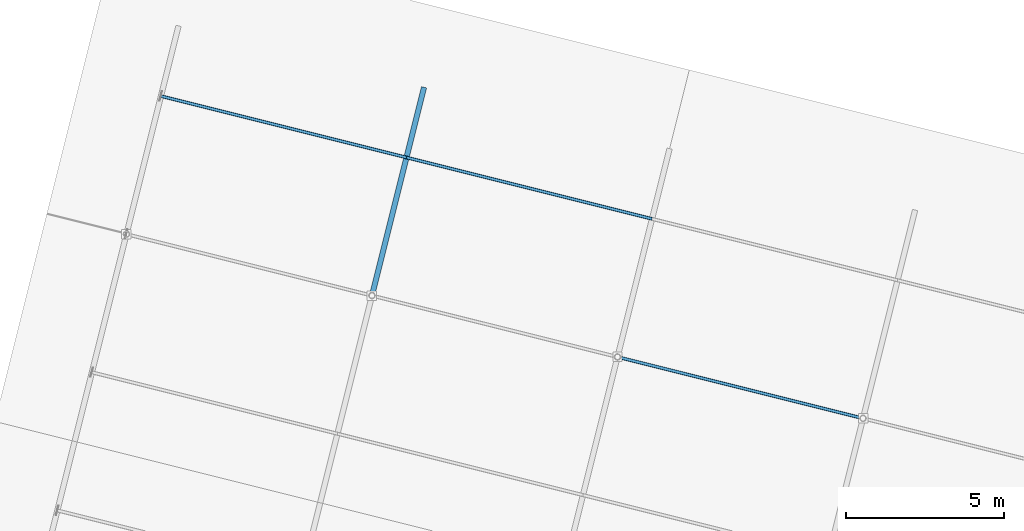
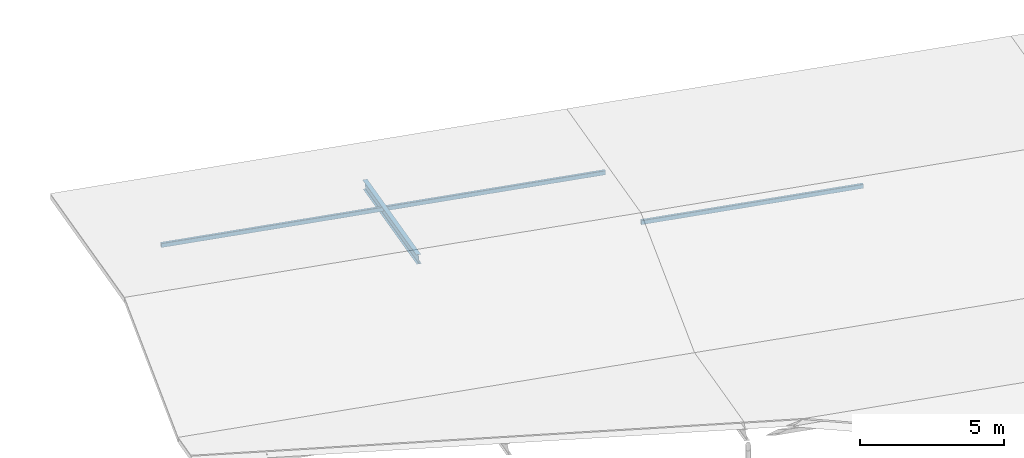
# One storey, part 59 of 107: 4 members.
"""IFC4 building model written with IfcOpenShell, lengths in metres."""

from ifc_helpers import new_model, si_unit, derived_unit, direction, frame, origin, origin_2d, place, context, subcontext, project, spatial, hollow_rectangle, i_section, extrude, material, material_profile, profile_set, type_object, element, save


model = new_model("IFC4")

# Units and contexts
model_context = context("Model", 3, precision=1e-05, world=origin(), true_north=direction((0.0, 1.0)))
body_context = subcontext(model_context, "Body", "Model", "MODEL_VIEW")
ifc_project = project(units=[si_unit("LENGTHUNIT", "METRE"), si_unit("AREAUNIT", "SQUARE_METRE"), si_unit("VOLUMEUNIT", "CUBIC_METRE"), si_unit("PLANEANGLEUNIT", "RADIAN"), si_unit("MASSUNIT", "GRAM", prefix="KILO"), si_unit("THERMODYNAMICTEMPERATUREUNIT", "KELVIN"), si_unit("TIMEUNIT", "SECOND"), derived_unit("THERMALTRANSMITTANCEUNIT", [(si_unit("MASSUNIT", "GRAM", prefix="KILO"), 1), (si_unit("THERMODYNAMICTEMPERATUREUNIT", "KELVIN"), -1), (si_unit("TIMEUNIT", "SECOND"), -3)])], contexts=[model_context])

# Site, building, storey
site_placement = place(None, origin())
site = spatial("IfcSite", under=ifc_project, at=site_placement, CompositionType="ELEMENT")
building_placement = place(site_placement, origin())
building = spatial("IfcBuilding", under=site, at=building_placement, Name="Cambertide Market Hall", CompositionType="ELEMENT")
storey_placement = place(building_placement, frame((0.0, 0.0, 18.300048828125)))
storey = spatial("IfcBuildingStorey", under=building, at=storey_placement, Name="RF", CompositionType="ELEMENT", Elevation=18.300048828125)

# Members
ifc_material_1 = material(Name="Steel S355", Category="steel")
ifc_material_profile_1 = material_profile(ifc_material_1, i_section(OverallWidth=0.169921875, OverallDepth=0.360107421875, WebThickness=0.008056640625, FlangeThickness=0.0126953125, FilletRadius=0.01806640625, at=origin_2d()), Name="IPE 360")
ifc_profile_set_1 = profile_set([ifc_material_profile_1], Name="Steel S355")
member_type_1 = type_object("IfcMemberType", Name="Radial Fan Rafter IPE 360", PredefinedType="RAFTER", material=ifc_profile_set_1)
member_1_placement = place(storey_placement, frame((120.672607421875, 117.705078125, 1.003173828125), z_axis=(0.237641829002, 0.950673643448, -0.199363950505), x_axis=(-0.970148882494, 0.242510094215, 0.0)))
element("IfcMember", 1, at=member_1_placement, inside=storey, type_object=member_type_1, Name="RAF-V4-2-4", PredefinedType="RAFTER", context=body_context, shape_type="SweptSolid", body=[
    extrude(i_section(OverallWidth=0.169921875, OverallDepth=0.360107421875, WebThickness=0.008056640625, FlangeThickness=0.0126953125, FilletRadius=0.01806640625, at=origin_2d()), origin(), (0.0, 0.0, 1.0), 6.888427734375),
])
ifc_material_2 = material(Name="Steel S275", Category="steel")
ifc_material_profile_2 = material_profile(ifc_material_2, hollow_rectangle(XDim=0.10009765625, YDim=0.179931640625, WallThickness=0.00634765625, InnerFilletRadius=0.00634765625, OuterFilletRadius=0.0126953125, at=origin_2d()), Name="RHS 180x100x6.3")
ifc_profile_set_2 = profile_set([ifc_material_profile_2], Name="Steel S275")
member_type_2 = type_object("IfcMemberType", Name="Roof Purlin RHS 180x100x6.3", PredefinedType="PURLIN", material=ifc_profile_set_2)
member_2_placement = place(storey_placement, frame((114.002685546875, 124.010986328125, 0.11767578125), z_axis=(0.970146090314, -0.242521263911, 0.0), x_axis=(0.242521263911, 0.970146090314, 0.0)))
element("IfcMember", 2, at=member_2_placement, inside=storey, type_object=member_type_2, Name="PUR-V4-1-247", PredefinedType="PURLIN", context=body_context, shape_type="SweptSolid", body=[
    extrude(hollow_rectangle(XDim=0.10009765625, YDim=0.179931640625, WallThickness=0.00634765625, InnerFilletRadius=0.00634765625, OuterFilletRadius=0.0126953125, at=origin_2d()), origin(), (0.0, 0.0, 1.0), 8.0),
])
for number, where, z_axis, x_axis, name in (
    (3, (121.763916015625, 122.07080078125, 0.11767578125), (0.970138909791, -0.242549986002, 0.0), (0.242549986002, 0.970138909791, 0.0), "PUR-V4-2-247"),
    (4, (128.43359375, 115.764892578125, 1.033203125), (0.970138909791, -0.242549986002, 0.0), (0.242549986002, 0.970138909791, 0.0), "PUR-V4-3-202"),
):
    element("IfcMember", number, at=place(storey_placement, frame(where, z_axis=z_axis, x_axis=x_axis)), inside=storey, type_object=member_type_2, Name=name, PredefinedType="PURLIN", context=body_context, shape_type="SweptSolid", body=[
        extrude(hollow_rectangle(XDim=0.10009765625, YDim=0.179931640625, WallThickness=0.00634765625, InnerFilletRadius=0.00634765625, OuterFilletRadius=0.0126953125, at=origin_2d()), origin(), (0.0, 0.0, 1.0), 8.000244140625),
    ])

save(model, "model.ifc")
